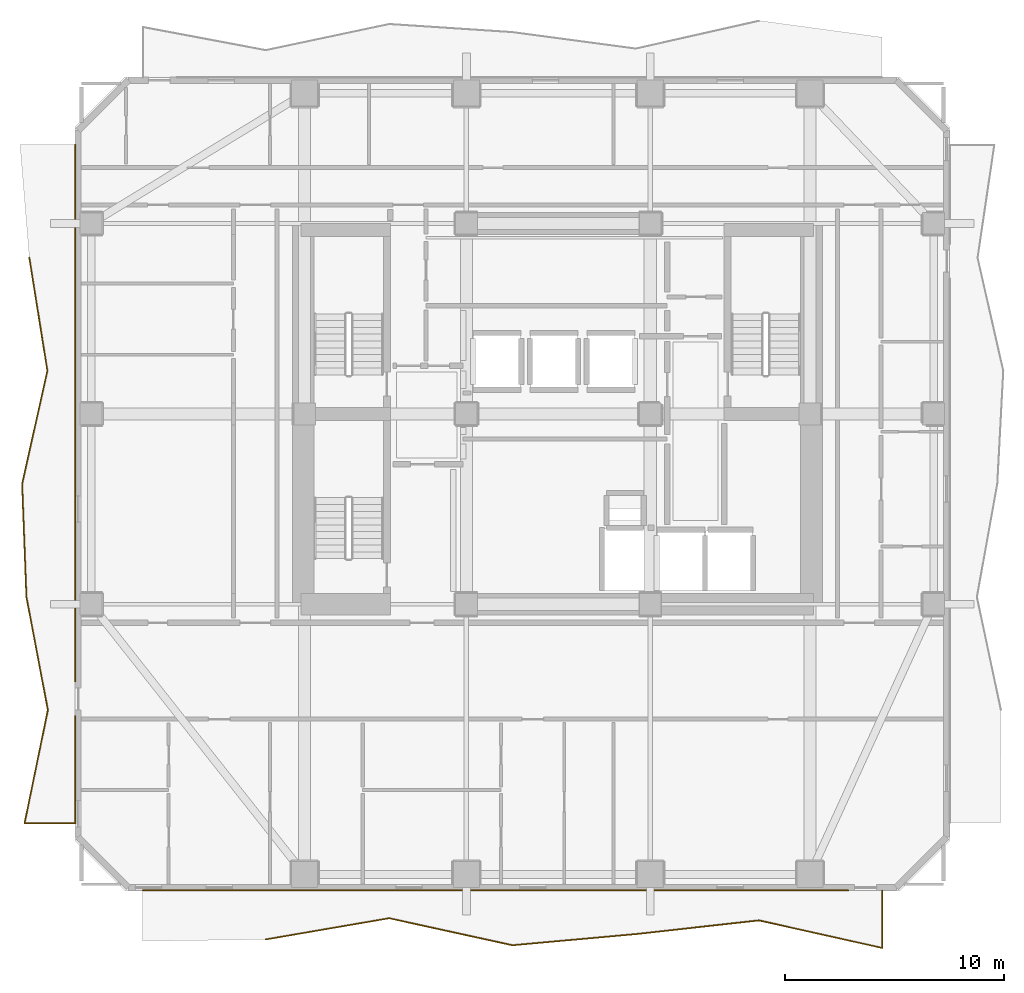
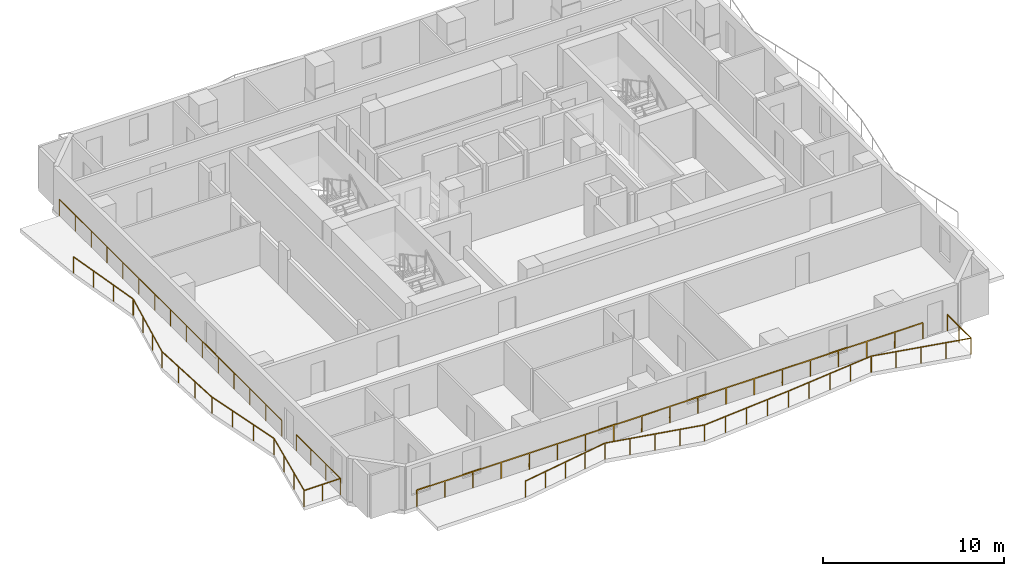
# One storey, part 7 of 10: 4 railings.
"""IFC4 building model written with IfcOpenShell, lengths in metres."""

from ifc_helpers import new_model, si_unit, direction, frame, origin, origin_2d, place, context, subcontext, project, spatial, rectangle, extrude, material, type_object, element, save


model = new_model("IFC4")

# Units and contexts
model_context = context("Model", 3, precision=1e-05, world=origin(), true_north=direction((0.0, 1.0)))
body_context = subcontext(model_context, "Body", "Model", "MODEL_VIEW")
ifc_project = project(units=[si_unit("LENGTHUNIT", "METRE"), si_unit("AREAUNIT", "SQUARE_METRE"), si_unit("VOLUMEUNIT", "CUBIC_METRE"), si_unit("PLANEANGLEUNIT", "RADIAN"), si_unit("MASSUNIT", "GRAM", prefix="KILO")], contexts=[model_context])

# Site, building, storey
site_placement = place(None, origin())
site = spatial("IfcSite", under=ifc_project, at=site_placement, CompositionType="ELEMENT")
building_placement = place(site_placement, origin())
building = spatial("IfcBuilding", under=site, at=building_placement, Name="Solanera Arch Residences", CompositionType="ELEMENT")
storey_placement = place(building_placement, frame((0.0, 0.0, 122.679931640625)))
storey = spatial("IfcBuildingStorey", under=building, at=storey_placement, Name="L35", CompositionType="ELEMENT", Elevation=122.679931640625)

# Railings
ifc_material = material(Name="Steel S355 (ASTM A992 / A572 Grade 50)", Category="steel")
railing_type = type_object("IfcRailingType", Name="Balustrade Railing BL-1100", PredefinedType="BALUSTRADE", material=ifc_material)
railing_1_placement = place(storey_placement, frame((11.633056640625, 6.679931640625, 0.0)))
element("IfcRailing", 1, at=railing_1_placement, inside=storey, type_object=railing_type, Name="L35 S Balcony Balustrade 1", PredefinedType="BALUSTRADE", context=body_context, shape_type="SweptSolid", body=[
    extrude(rectangle(XDim=0.048095703125, YDim=0.048095703125, at=origin_2d()), frame((0.0, 0.0, 1.09619140625), z_axis=(0.985501509247, 0.169666659281, 0.0), x_axis=(-0.169666659281, 0.985501509247, 0.0)), (0.0, 0.0, 1.0), 5.717041015625),
    extrude(rectangle(XDim=0.048095703125, YDim=0.048095703125, at=origin_2d()), frame((5.634033203125, 0.969970703125, 1.09619140625), z_axis=(0.976767259369, -0.21430287218, 0.0), x_axis=(0.21430287218, 0.976767259369, 0.0)), (0.0, 0.0, 1.0), 5.766845703125),
    extrude(rectangle(XDim=0.048095703125, YDim=0.048095703125, at=origin_2d()), frame((11.266845703125, -0.265869140625, 1.09619140625), z_axis=(0.995941887423, 0.089998649299, 0.0), x_axis=(-0.089998649299, 0.995941887423, 0.0)), (0.0, 0.0, 1.0), 5.656005859375),
    extrude(rectangle(XDim=0.048095703125, YDim=0.048095703125, at=origin_2d()), frame((16.89990234375, 0.2431640625, 1.09619140625), z_axis=(0.993865338497, 0.110596966211, 0.0), x_axis=(-0.110596966211, 0.993865338497, 0.0)), (0.0, 0.0, 1.0), 5.668701171875),
    extrude(rectangle(XDim=0.048095703125, YDim=0.048095703125, at=origin_2d()), frame((22.533935546875, 0.8701171875, 1.09619140625), z_axis=(0.975920602613, -0.218126058496, 0.0), x_axis=(0.218126058496, 0.975920602613, 0.0)), (0.0, 0.0, 1.0), 5.77197265625),
    extrude(rectangle(XDim=0.048095703125, YDim=0.048095703125, at=origin_2d()), frame((28.1669921875, -0.388916015625, 1.09619140625), z_axis=(0.0, 1.0, 0.0), x_axis=(-1.0, 0.0, 0.0)), (0.0, 0.0, 1.0), 2.62890625),
    extrude(rectangle(XDim=0.0419921875, YDim=0.0419921875, at=origin_2d()), origin(), (0.0, 0.0, 1.0), 1.072021484375),
    extrude(rectangle(XDim=0.0419921875, YDim=0.0419921875, at=origin_2d()), frame((1.408447265625, 0.242431640625, 0.0)), (0.0, 0.0, 1.0), 1.072021484375),
    extrude(rectangle(XDim=0.0419921875, YDim=0.0419921875, at=origin_2d()), frame((2.81689453125, 0.48486328125, 0.0)), (0.0, 0.0, 1.0), 1.072021484375),
    extrude(rectangle(XDim=0.0419921875, YDim=0.0419921875, at=origin_2d()), frame((4.2255859375, 0.7275390625, 0.0)), (0.0, 0.0, 1.0), 1.072021484375),
    extrude(rectangle(XDim=0.0419921875, YDim=0.0419921875, at=origin_2d()), frame((5.634033203125, 0.969970703125, 0.0)), (0.0, 0.0, 1.0), 1.072021484375),
    extrude(rectangle(XDim=0.0419921875, YDim=0.0419921875, at=origin_2d()), frame((7.042236328125, 0.6611328125, 0.0)), (0.0, 0.0, 1.0), 1.072021484375),
    extrude(rectangle(XDim=0.0419921875, YDim=0.0419921875, at=origin_2d()), frame((8.450439453125, 0.35205078125, 0.0)), (0.0, 0.0, 1.0), 1.072021484375),
    extrude(rectangle(XDim=0.0419921875, YDim=0.0419921875, at=origin_2d()), frame((9.858642578125, 0.04296875, 0.0)), (0.0, 0.0, 1.0), 1.072021484375),
    extrude(rectangle(XDim=0.0419921875, YDim=0.0419921875, at=origin_2d()), frame((11.266845703125, -0.265869140625, 0.0)), (0.0, 0.0, 1.0), 1.072021484375),
    extrude(rectangle(XDim=0.0419921875, YDim=0.0419921875, at=origin_2d()), frame((12.675048828125, -0.138671875, 0.0)), (0.0, 0.0, 1.0), 1.072021484375),
    extrude(rectangle(XDim=0.0419921875, YDim=0.0419921875, at=origin_2d()), frame((14.08349609375, -0.01123046875, 0.0)), (0.0, 0.0, 1.0), 1.072021484375),
    extrude(rectangle(XDim=0.0419921875, YDim=0.0419921875, at=origin_2d()), frame((15.49169921875, 0.115966796875, 0.0)), (0.0, 0.0, 1.0), 1.072021484375),
    extrude(rectangle(XDim=0.0419921875, YDim=0.0419921875, at=origin_2d()), frame((16.89990234375, 0.2431640625, 0.0)), (0.0, 0.0, 1.0), 1.072021484375),
    extrude(rectangle(XDim=0.0419921875, YDim=0.0419921875, at=origin_2d()), frame((18.308349609375, 0.39990234375, 0.0)), (0.0, 0.0, 1.0), 1.072021484375),
    extrude(rectangle(XDim=0.0419921875, YDim=0.0419921875, at=origin_2d()), frame((19.716796875, 0.556640625, 0.0)), (0.0, 0.0, 1.0), 1.072021484375),
    extrude(rectangle(XDim=0.0419921875, YDim=0.0419921875, at=origin_2d()), frame((21.12548828125, 0.71337890625, 0.0)), (0.0, 0.0, 1.0), 1.072021484375),
    extrude(rectangle(XDim=0.0419921875, YDim=0.0419921875, at=origin_2d()), frame((22.533935546875, 0.8701171875, 0.0)), (0.0, 0.0, 1.0), 1.072021484375),
    extrude(rectangle(XDim=0.0419921875, YDim=0.0419921875, at=origin_2d()), frame((23.942138671875, 0.555419921875, 0.0)), (0.0, 0.0, 1.0), 1.072021484375),
    extrude(rectangle(XDim=0.0419921875, YDim=0.0419921875, at=origin_2d()), frame((25.3505859375, 0.24072265625, 0.0)), (0.0, 0.0, 1.0), 1.072021484375),
    extrude(rectangle(XDim=0.0419921875, YDim=0.0419921875, at=origin_2d()), frame((26.7587890625, -0.07421875, 0.0)), (0.0, 0.0, 1.0), 1.072021484375),
    extrude(rectangle(XDim=0.0419921875, YDim=0.0419921875, at=origin_2d()), frame((28.1669921875, -0.388916015625, 0.0)), (0.0, 0.0, 1.0), 1.072021484375),
    extrude(rectangle(XDim=0.0419921875, YDim=0.0419921875, at=origin_2d()), frame((28.1669921875, 0.925537109375, 0.0)), (0.0, 0.0, 1.0), 1.072021484375),
    extrude(rectangle(XDim=0.0419921875, YDim=0.0419921875, at=origin_2d()), frame((28.1669921875, 2.239990234375, 0.0)), (0.0, 0.0, 1.0), 1.072021484375),
])
railing_2_placement = place(storey_placement, frame((38.240966796875, 8.919921875, 0.0)))
element("IfcRailing", 2, at=railing_2_placement, inside=storey, type_object=railing_type, Name="L35 S Balcony Balustrade 2", PredefinedType="BALUSTRADE", context=body_context, shape_type="SweptSolid", body=[
    extrude(rectangle(XDim=0.048095703125, YDim=0.048095703125, at=origin_2d()), frame((0.0, 0.0, 1.09619140625), z_axis=(-1.0, 0.0, 0.0), x_axis=(0.0, -1.0, 0.0)), (0.0, 0.0, 1.0), 32.240966796875),
    extrude(rectangle(XDim=0.0419921875, YDim=0.0419921875, at=origin_2d()), origin(), (0.0, 0.0, 1.0), 1.072021484375),
    extrude(rectangle(XDim=0.0419921875, YDim=0.0419921875, at=origin_2d()), frame((-1.791259765625, 0.0, 0.0)), (0.0, 0.0, 1.0), 1.072021484375),
    extrude(rectangle(XDim=0.0419921875, YDim=0.0419921875, at=origin_2d()), frame((-3.582275390625, 0.0, 0.0)), (0.0, 0.0, 1.0), 1.072021484375),
    extrude(rectangle(XDim=0.0419921875, YDim=0.0419921875, at=origin_2d()), frame((-5.37353515625, 0.0, 0.0)), (0.0, 0.0, 1.0), 1.072021484375),
    extrude(rectangle(XDim=0.0419921875, YDim=0.0419921875, at=origin_2d()), frame((-7.16455078125, 0.0, 0.0)), (0.0, 0.0, 1.0), 1.072021484375),
    extrude(rectangle(XDim=0.0419921875, YDim=0.0419921875, at=origin_2d()), frame((-8.955810546875, 0.0, 0.0)), (0.0, 0.0, 1.0), 1.072021484375),
    extrude(rectangle(XDim=0.0419921875, YDim=0.0419921875, at=origin_2d()), frame((-10.7470703125, 0.0, 0.0)), (0.0, 0.0, 1.0), 1.072021484375),
    extrude(rectangle(XDim=0.0419921875, YDim=0.0419921875, at=origin_2d()), frame((-12.5380859375, 0.0, 0.0)), (0.0, 0.0, 1.0), 1.072021484375),
    extrude(rectangle(XDim=0.0419921875, YDim=0.0419921875, at=origin_2d()), frame((-14.329345703125, 0.0, 0.0)), (0.0, 0.0, 1.0), 1.072021484375),
    extrude(rectangle(XDim=0.0419921875, YDim=0.0419921875, at=origin_2d()), frame((-16.12060546875, 0.0, 0.0)), (0.0, 0.0, 1.0), 1.072021484375),
    extrude(rectangle(XDim=0.0419921875, YDim=0.0419921875, at=origin_2d()), frame((-17.91162109375, 0.0, 0.0)), (0.0, 0.0, 1.0), 1.072021484375),
    extrude(rectangle(XDim=0.0419921875, YDim=0.0419921875, at=origin_2d()), frame((-19.702880859375, 0.0, 0.0)), (0.0, 0.0, 1.0), 1.072021484375),
    extrude(rectangle(XDim=0.0419921875, YDim=0.0419921875, at=origin_2d()), frame((-21.493896484375, 0.0, 0.0)), (0.0, 0.0, 1.0), 1.072021484375),
    extrude(rectangle(XDim=0.0419921875, YDim=0.0419921875, at=origin_2d()), frame((-23.28515625, 0.0, 0.0)), (0.0, 0.0, 1.0), 1.072021484375),
    extrude(rectangle(XDim=0.0419921875, YDim=0.0419921875, at=origin_2d()), frame((-25.076416015625, 0.0, 0.0)), (0.0, 0.0, 1.0), 1.072021484375),
    extrude(rectangle(XDim=0.0419921875, YDim=0.0419921875, at=origin_2d()), frame((-26.867431640625, 0.0, 0.0)), (0.0, 0.0, 1.0), 1.072021484375),
    extrude(rectangle(XDim=0.0419921875, YDim=0.0419921875, at=origin_2d()), frame((-28.65869140625, 0.0, 0.0)), (0.0, 0.0, 1.0), 1.072021484375),
    extrude(rectangle(XDim=0.0419921875, YDim=0.0419921875, at=origin_2d()), frame((-30.44970703125, 0.0, 0.0)), (0.0, 0.0, 1.0), 1.072021484375),
    extrude(rectangle(XDim=0.0419921875, YDim=0.0419921875, at=origin_2d()), frame((-32.240966796875, 0.0, 0.0)), (0.0, 0.0, 1.0), 1.072021484375),
])
railing_3_placement = place(storey_placement, frame((0.821044921875, 37.8330078125, 0.0)))
element("IfcRailing", 3, at=railing_3_placement, inside=storey, type_object=railing_type, Name="L35 W Balcony Balustrade 1", PredefinedType="BALUSTRADE", context=body_context, shape_type="SweptSolid", body=[
    extrude(rectangle(XDim=0.048095703125, YDim=0.048095703125, at=origin_2d()), frame((0.0, 0.0, 1.09619140625), z_axis=(0.157690175105, -0.987488637239, 0.0), x_axis=(0.987488637239, 0.157690175105, 0.0)), (0.0, 0.0, 1.0), 5.2314453125),
    extrude(rectangle(XDim=0.048095703125, YDim=0.048095703125, at=origin_2d()), frame((0.824951171875, -5.166015625, 1.09619140625), z_axis=(-0.217980100288, -0.97595321398, 0.0), x_axis=(0.97595321398, -0.217980100288, 0.0)), (0.0, 0.0, 1.0), 5.294189453125),
    extrude(rectangle(XDim=0.048095703125, YDim=0.048095703125, at=origin_2d()), frame((-0.3291015625, -10.3330078125, 1.09619140625), z_axis=(0.037914507287, -0.999280986578, 0.0), x_axis=(0.999280986578, 0.037914507287, 0.0)), (0.0, 0.0, 1.0), 5.170654296875),
    extrude(rectangle(XDim=0.048095703125, YDim=0.048095703125, at=origin_2d()), frame((-0.133056640625, -15.5, 1.09619140625), z_axis=(0.186373833429, -0.982478902681, 0.0), x_axis=(0.982478902681, 0.186373833429, 0.0)), (0.0, 0.0, 1.0), 5.258056640625),
    extrude(rectangle(XDim=0.048095703125, YDim=0.048095703125, at=origin_2d()), frame((0.846923828125, -20.666015625, 1.09619140625), z_axis=(-0.201506663369, -0.979487143672, 0.0), x_axis=(0.979487143672, -0.201506663369, 0.0)), (0.0, 0.0, 1.0), 5.275146484375),
    extrude(rectangle(XDim=0.048095703125, YDim=0.048095703125, at=origin_2d()), frame((-0.216064453125, -25.8330078125, 1.09619140625), z_axis=(1.0, 0.0, 0.0), x_axis=(0.0, 1.0, 0.0)), (0.0, 0.0, 1.0), 2.31494140625),
    extrude(rectangle(XDim=0.048095703125, YDim=0.048095703125, at=origin_2d()), frame((2.098876953125, -25.8330078125, 1.09619140625), z_axis=(0.0, 1.0, 0.0), x_axis=(-1.0, 0.0, 0.0)), (0.0, 0.0, 1.0), 4.873046875),
    extrude(rectangle(XDim=0.0419921875, YDim=0.0419921875, at=origin_2d()), origin(), (0.0, 0.0, 1.0), 1.072021484375),
    extrude(rectangle(XDim=0.0419921875, YDim=0.0419921875, at=origin_2d()), frame((0.27490234375, -1.721923828125, 0.0)), (0.0, 0.0, 1.0), 1.072021484375),
    extrude(rectangle(XDim=0.0419921875, YDim=0.0419921875, at=origin_2d()), frame((0.550048828125, -3.444091796875, 0.0)), (0.0, 0.0, 1.0), 1.072021484375),
    extrude(rectangle(XDim=0.0419921875, YDim=0.0419921875, at=origin_2d()), frame((0.824951171875, -5.166015625, 0.0)), (0.0, 0.0, 1.0), 1.072021484375),
    extrude(rectangle(XDim=0.0419921875, YDim=0.0419921875, at=origin_2d()), frame((0.440185546875, -6.888427734375, 0.0)), (0.0, 0.0, 1.0), 1.072021484375),
    extrude(rectangle(XDim=0.0419921875, YDim=0.0419921875, at=origin_2d()), frame((0.0556640625, -8.610595703125, 0.0)), (0.0, 0.0, 1.0), 1.072021484375),
    extrude(rectangle(XDim=0.0419921875, YDim=0.0419921875, at=origin_2d()), frame((-0.3291015625, -10.3330078125, 0.0)), (0.0, 0.0, 1.0), 1.072021484375),
    extrude(rectangle(XDim=0.0419921875, YDim=0.0419921875, at=origin_2d()), frame((-0.263671875, -12.055419921875, 0.0)), (0.0, 0.0, 1.0), 1.072021484375),
    extrude(rectangle(XDim=0.0419921875, YDim=0.0419921875, at=origin_2d()), frame((-0.198486328125, -13.777587890625, 0.0)), (0.0, 0.0, 1.0), 1.072021484375),
    extrude(rectangle(XDim=0.0419921875, YDim=0.0419921875, at=origin_2d()), frame((-0.133056640625, -15.5, 0.0)), (0.0, 0.0, 1.0), 1.072021484375),
    extrude(rectangle(XDim=0.0419921875, YDim=0.0419921875, at=origin_2d()), frame((0.193603515625, -17.221923828125, 0.0)), (0.0, 0.0, 1.0), 1.072021484375),
    extrude(rectangle(XDim=0.0419921875, YDim=0.0419921875, at=origin_2d()), frame((0.520263671875, -18.944091796875, 0.0)), (0.0, 0.0, 1.0), 1.072021484375),
    extrude(rectangle(XDim=0.0419921875, YDim=0.0419921875, at=origin_2d()), frame((0.846923828125, -20.666015625, 0.0)), (0.0, 0.0, 1.0), 1.072021484375),
    extrude(rectangle(XDim=0.0419921875, YDim=0.0419921875, at=origin_2d()), frame((0.49267578125, -22.388427734375, 0.0)), (0.0, 0.0, 1.0), 1.072021484375),
    extrude(rectangle(XDim=0.0419921875, YDim=0.0419921875, at=origin_2d()), frame((0.13818359375, -24.110595703125, 0.0)), (0.0, 0.0, 1.0), 1.072021484375),
    extrude(rectangle(XDim=0.0419921875, YDim=0.0419921875, at=origin_2d()), frame((-0.216064453125, -25.8330078125, 0.0)), (0.0, 0.0, 1.0), 1.072021484375),
    extrude(rectangle(XDim=0.0419921875, YDim=0.0419921875, at=origin_2d()), frame((0.94140625, -25.8330078125, 0.0)), (0.0, 0.0, 1.0), 1.072021484375),
    extrude(rectangle(XDim=0.0419921875, YDim=0.0419921875, at=origin_2d()), frame((2.098876953125, -25.8330078125, 0.0)), (0.0, 0.0, 1.0), 1.072021484375),
    extrude(rectangle(XDim=0.0419921875, YDim=0.0419921875, at=origin_2d()), frame((2.098876953125, -24.208740234375, 0.0)), (0.0, 0.0, 1.0), 1.072021484375),
    extrude(rectangle(XDim=0.0419921875, YDim=0.0419921875, at=origin_2d()), frame((2.098876953125, -22.584228515625, 0.0)), (0.0, 0.0, 1.0), 1.072021484375),
    extrude(rectangle(XDim=0.0419921875, YDim=0.0419921875, at=origin_2d()), frame((2.098876953125, -20.9599609375, 0.0)), (0.0, 0.0, 1.0), 1.072021484375),
])
railing_4_placement = place(storey_placement, frame((2.919921875, 18.472900390625, 0.0)))
element("IfcRailing", 4, at=railing_4_placement, inside=storey, type_object=railing_type, Name="L35 W Balcony Balustrade 2", PredefinedType="BALUSTRADE", context=body_context, shape_type="SweptSolid", body=[
    extrude(rectangle(XDim=0.048095703125, YDim=0.048095703125, at=origin_2d()), frame((0.0, 0.0, 1.09619140625), z_axis=(0.0, 1.0, 0.0), x_axis=(-1.0, 0.0, 0.0)), (0.0, 0.0, 1.0), 24.527099609375),
    extrude(rectangle(XDim=0.0419921875, YDim=0.0419921875, at=origin_2d()), origin(), (0.0, 0.0, 1.0), 1.072021484375),
    extrude(rectangle(XDim=0.0419921875, YDim=0.0419921875, at=origin_2d()), frame((0.0, 1.751953125, 0.0)), (0.0, 0.0, 1.0), 1.072021484375),
    extrude(rectangle(XDim=0.0419921875, YDim=0.0419921875, at=origin_2d()), frame((0.0, 3.50390625, 0.0)), (0.0, 0.0, 1.0), 1.072021484375),
    extrude(rectangle(XDim=0.0419921875, YDim=0.0419921875, at=origin_2d()), frame((0.0, 5.255859375, 0.0)), (0.0, 0.0, 1.0), 1.072021484375),
    extrude(rectangle(XDim=0.0419921875, YDim=0.0419921875, at=origin_2d()), frame((0.0, 7.0078125, 0.0)), (0.0, 0.0, 1.0), 1.072021484375),
    extrude(rectangle(XDim=0.0419921875, YDim=0.0419921875, at=origin_2d()), frame((0.0, 8.759765625, 0.0)), (0.0, 0.0, 1.0), 1.072021484375),
    extrude(rectangle(XDim=0.0419921875, YDim=0.0419921875, at=origin_2d()), frame((0.0, 10.51171875, 0.0)), (0.0, 0.0, 1.0), 1.072021484375),
    extrude(rectangle(XDim=0.0419921875, YDim=0.0419921875, at=origin_2d()), frame((0.0, 12.263671875, 0.0)), (0.0, 0.0, 1.0), 1.072021484375),
    extrude(rectangle(XDim=0.0419921875, YDim=0.0419921875, at=origin_2d()), frame((0.0, 14.015380859375, 0.0)), (0.0, 0.0, 1.0), 1.072021484375),
    extrude(rectangle(XDim=0.0419921875, YDim=0.0419921875, at=origin_2d()), frame((0.0, 15.767333984375, 0.0)), (0.0, 0.0, 1.0), 1.072021484375),
    extrude(rectangle(XDim=0.0419921875, YDim=0.0419921875, at=origin_2d()), frame((0.0, 17.519287109375, 0.0)), (0.0, 0.0, 1.0), 1.072021484375),
    extrude(rectangle(XDim=0.0419921875, YDim=0.0419921875, at=origin_2d()), frame((0.0, 19.271240234375, 0.0)), (0.0, 0.0, 1.0), 1.072021484375),
    extrude(rectangle(XDim=0.0419921875, YDim=0.0419921875, at=origin_2d()), frame((0.0, 21.023193359375, 0.0)), (0.0, 0.0, 1.0), 1.072021484375),
    extrude(rectangle(XDim=0.0419921875, YDim=0.0419921875, at=origin_2d()), frame((0.0, 22.775146484375, 0.0)), (0.0, 0.0, 1.0), 1.072021484375),
    extrude(rectangle(XDim=0.0419921875, YDim=0.0419921875, at=origin_2d()), frame((0.0, 24.527099609375, 0.0)), (0.0, 0.0, 1.0), 1.072021484375),
])

save(model, "model.ifc")
